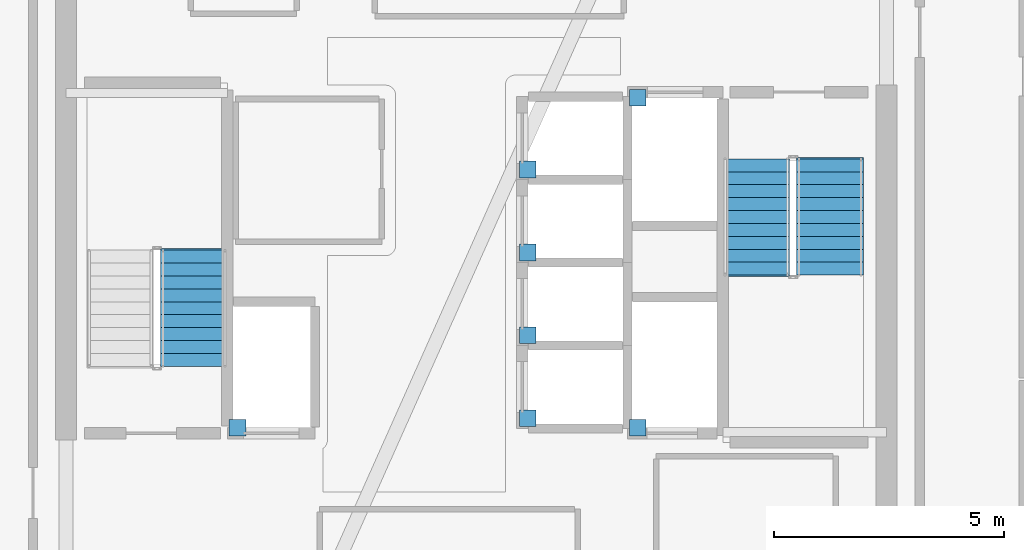
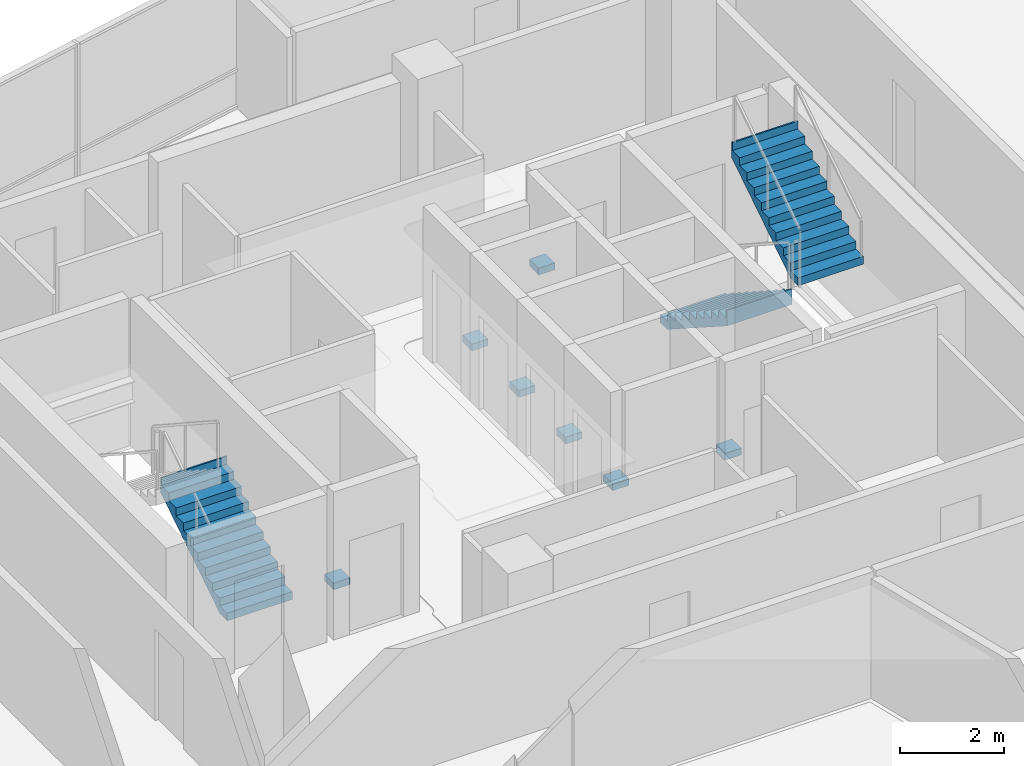
# One storey, part 12 of 15: 7 discrete accessories, 3 stair flights, 2 elements without a shape of their own.
"""IFC4 building model written with IfcOpenShell, lengths in metres."""

from ifc_helpers import new_model, si_unit, direction, frame, origin, origin_2d, place, context, subcontext, project, spatial, polyline, rectangle, outline, extrude, material, type_object, element, aggregate, save


model = new_model("IFC4")

# Units and contexts
model_context = context("Model", 3, precision=1e-05, world=origin(), true_north=direction((0.0, 1.0)))
body_context = subcontext(model_context, "Body", "Model", "MODEL_VIEW")
ifc_project = project(units=[si_unit("LENGTHUNIT", "METRE"), si_unit("AREAUNIT", "SQUARE_METRE"), si_unit("VOLUMEUNIT", "CUBIC_METRE"), si_unit("PLANEANGLEUNIT", "RADIAN"), si_unit("MASSUNIT", "GRAM", prefix="KILO")], contexts=[model_context])

# Site, building, storey
site_placement = place(None, origin())
site = spatial("IfcSite", under=ifc_project, at=site_placement, CompositionType="ELEMENT")
building_placement = place(site_placement, origin())
building = spatial("IfcBuilding", under=site, at=building_placement, Name="Tharavind Bronze Gate", CompositionType="ELEMENT")
storey_placement = place(building_placement, frame((0.0, 0.0, 290.699951171875)))
storey = spatial("IfcBuildingStorey", under=building, at=storey_placement, Name="L75", CompositionType="ELEMENT", Elevation=290.699951171875)

# Stair, stair flight
ifc_material_1 = material(Name="Concrete C40/50", Category="concrete")
stair_type = type_object("IfcStairType", Name="CORE HALF TURN STAIR 1450", PredefinedType="HALF_TURN_STAIR", material=ifc_material_1)
stair_1_placement = place(storey_placement, origin())
stair_1 = element("IfcStair", 1, at=stair_1_placement, inside=storey, type_object=stair_type, Name="L75 Protected Exit Stair ST1", PredefinedType="HALF_TURN_STAIR")
stair_flight_type = type_object("IfcStairFlightType", Name="CORE STAIR FLIGHT 1450", PredefinedType="STRAIGHT", material=ifc_material_1)
stair_flight_1_placement = place(storey_placement, frame((-6.125, -2.25, 0.0), z_axis=(0.0, 0.0, 1.0), x_axis=(0.0, 1.0, 0.0)))
stair_flight_1 = element("IfcStairFlight", 2, at=stair_flight_1_placement, type_object=stair_flight_type, Name="ST1 flight 1", NumberOfRisers=10, NumberOfTreads=9, PredefinedType="STRAIGHT", RiserHeight=0.1825, TreadLength=0.28, context=body_context, shape_type="SweptSolid", body=[
    extrude(outline(polyline([(0.0, 0.0), (0.0, 0.1826171875), (0.280029296875, 0.1826171875), (0.280029296875, 0.364990234375), (0.56005859375, 0.364990234375), (0.56005859375, 0.547607421875), (0.840087890625, 0.547607421875), (0.840087890625, 0.72998046875), (1.1201171875, 0.72998046875), (1.1201171875, 0.91259765625), (1.39990234375, 0.91259765625), (1.39990234375, 1.094970703125), (1.679931640625, 1.094970703125), (1.679931640625, 1.277587890625), (1.9599609375, 1.277587890625), (1.9599609375, 1.4599609375), (2.239990234375, 1.4599609375), (2.239990234375, 1.642578125), (2.52001953125, 1.642578125), (2.52001953125, 1.824951171875), (2.555908203125, 1.824951171875), (2.555908203125, 1.463623046875), (0.2744140625, 0.0), (0.0, 0.0)])), frame((0.0, 0.72509765625, 0.0), z_axis=(0.0, -1.0, 0.0), x_axis=(1.0, 0.0, 0.0)), (0.0, 0.0, 1.0), 1.449951171875),
])
aggregate(stair_1, [stair_flight_1])

# Stair, stair flights
stair_2_placement = place(storey_placement, origin())
stair_2 = element("IfcStair", 3, at=stair_2_placement, inside=storey, type_object=stair_type, Name="L75 Protected Exit Stair ST2", PredefinedType="HALF_TURN_STAIR")
stair_flight_2_placement = place(storey_placement, frame((6.074951171875, 2.25, 0.0), z_axis=(0.0, 0.0, 1.0), x_axis=(0.0, -1.0, 0.0)))
stair_flight_2 = element("IfcStairFlight", 4, at=stair_flight_2_placement, type_object=stair_flight_type, Name="ST2 flight 1", NumberOfRisers=10, NumberOfTreads=9, PredefinedType="STRAIGHT", RiserHeight=0.1825, TreadLength=0.28, context=body_context, shape_type="SweptSolid", body=[
    extrude(outline(polyline([(0.0, 0.0), (0.0, 0.1826171875), (0.280029296875, 0.1826171875), (0.280029296875, 0.364990234375), (0.56005859375, 0.364990234375), (0.56005859375, 0.547607421875), (0.840087890625, 0.547607421875), (0.840087890625, 0.72998046875), (1.1201171875, 0.72998046875), (1.1201171875, 0.91259765625), (1.39990234375, 0.91259765625), (1.39990234375, 1.094970703125), (1.679931640625, 1.094970703125), (1.679931640625, 1.277587890625), (1.9599609375, 1.277587890625), (1.9599609375, 1.4599609375), (2.239990234375, 1.4599609375), (2.239990234375, 1.642578125), (2.52001953125, 1.642578125), (2.52001953125, 1.824951171875), (2.555908203125, 1.824951171875), (2.555908203125, 1.463623046875), (0.2744140625, 0.0), (0.0, 0.0)])), frame((0.0, 0.72509765625, 0.0), z_axis=(0.0, -1.0, 0.0), x_axis=(1.0, 0.0, 0.0)), (0.0, 0.0, 1.0), 1.449951171875),
])
stair_flight_3_placement = place(storey_placement, frame((7.675048828125, -0.27001953125, 1.824951171875), z_axis=(0.0, 0.0, 1.0), x_axis=(0.0, 1.0, 0.0)))
stair_flight_3 = element("IfcStairFlight", 5, at=stair_flight_3_placement, type_object=stair_flight_type, Name="ST2 flight 2", NumberOfRisers=10, NumberOfTreads=9, PredefinedType="STRAIGHT", RiserHeight=0.1825, TreadLength=0.28, context=body_context, shape_type="SweptSolid", body=[
    extrude(outline(polyline([(0.0, 0.0), (0.0, 0.1826171875), (0.280029296875, 0.1826171875), (0.280029296875, 0.364990234375), (0.56005859375, 0.364990234375), (0.56005859375, 0.547607421875), (0.840087890625, 0.547607421875), (0.840087890625, 0.72998046875), (1.1201171875, 0.72998046875), (1.1201171875, 0.91259765625), (1.39990234375, 0.91259765625), (1.39990234375, 1.094970703125), (1.679931640625, 1.094970703125), (1.679931640625, 1.277587890625), (1.9599609375, 1.277587890625), (1.9599609375, 1.4599609375), (2.239990234375, 1.4599609375), (2.239990234375, 1.642578125), (2.52001953125, 1.642578125), (2.52001953125, 1.824951171875), (2.555908203125, 1.824951171875), (2.555908203125, 1.463623046875), (0.2744140625, 0.0), (0.0, 0.0)])), frame((0.0, 0.72509765625, 0.0), z_axis=(0.0, -1.0, 0.0), x_axis=(1.0, 0.0, 0.0)), (0.0, 0.0, 1.0), 1.449951171875),
])
aggregate(stair_2, [stair_flight_2, stair_flight_3])

# Discrete accessories
ifc_material_2 = material(Name="Galvanised Steel S355", Category="steel")
discrete_accessory_type = type_object("IfcDiscreteAccessoryType", Name="LIFT GUIDE RAIL BRACKET", PredefinedType="BRACKET", material=ifc_material_2)
for number, where, z_axis, x_axis, name in (
    (6, (1.1201171875, -3.3798828125, 1.1201171875), (0.0, 0.0, 1.0), (1.0, 0.0, 0.0), "Lift PL9 guide rail bracket at L75"),
    (7, (1.1201171875, -1.580078125, 1.1201171875), (0.0, 0.0, 1.0), (1.0, 0.0, 0.0), "Lift PL10 guide rail bracket at L75"),
    (8, (1.1201171875, 0.219970703125, 1.1201171875), (0.0, 0.0, 1.0), (1.0, 0.0, 0.0), "Lift PL11 guide rail bracket at L75"),
    (9, (1.1201171875, 2.02001953125, 1.1201171875), (0.0, 0.0, 1.0), (1.0, 0.0, 0.0), "Lift PL12 guide rail bracket at L75"),
    (10, (-5.179931640625, -3.580078125, 1.1201171875), (0.0, 0.0, 1.0), (1.0, 0.0, 0.0), "Lift FFL1 guide rail bracket at L75"),
    (11, (3.5, 3.580078125, 1.1201171875), (0.0, 0.0, 1.0), (1.0, 0.0, 0.0), "Lift FFL2 guide rail bracket at L75"),
    (12, (3.5, -3.580078125, 1.1201171875), (0.0, 0.0, 1.0), (1.0, 0.0, 0.0), "Lift SVL1 guide rail bracket at L75"),
):
    element("IfcDiscreteAccessory", number, at=place(storey_placement, frame(where, z_axis=z_axis, x_axis=x_axis)), inside=storey, type_object=discrete_accessory_type, Name=name, PredefinedType="BRACKET", context=body_context, shape_type="SweptSolid", body=[
        extrude(rectangle(XDim=0.360107421875, YDim=0.360107421875, at=origin_2d()), origin(), (0.0, 0.0, 1.0), 0.159912109375),
    ])

save(model, "model.ifc")
